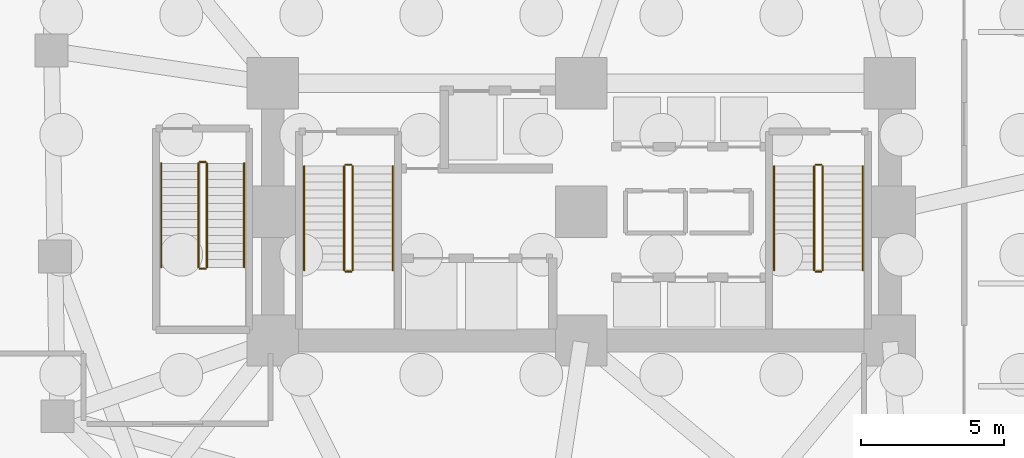
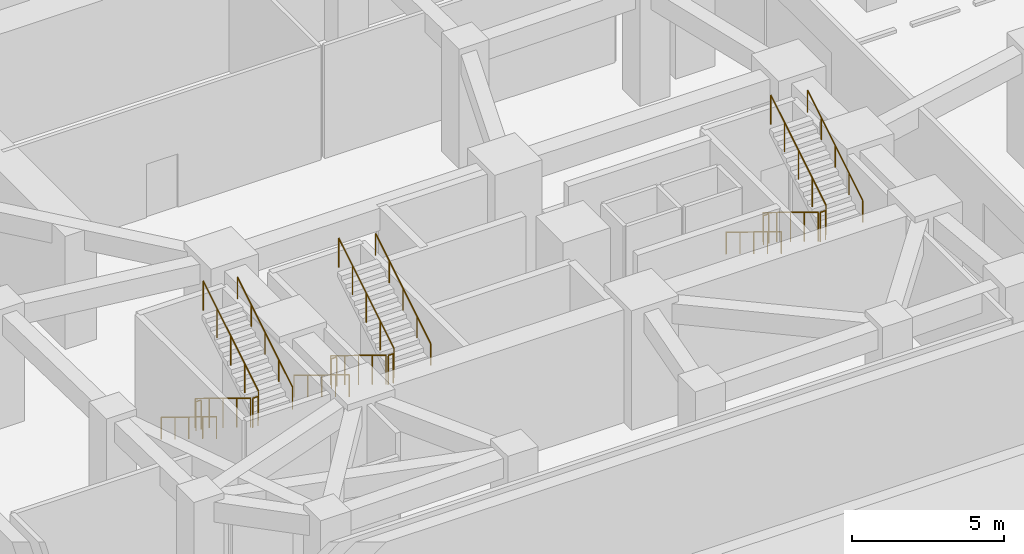
# One storey, part 8 of 11: 18 railings.
"""IFC4 building model written with IfcOpenShell, lengths in metres."""

from ifc_helpers import new_model, si_unit, direction, frame, origin, origin_2d, place, context, subcontext, project, spatial, circle, extrude, material, type_object, element, save


model = new_model("IFC4")

# Units and contexts
model_context = context("Model", 3, precision=1e-05, world=origin(), true_north=direction((0.0, 1.0)))
body_context = subcontext(model_context, "Body", "Model", "MODEL_VIEW")
ifc_project = project(units=[si_unit("LENGTHUNIT", "METRE"), si_unit("AREAUNIT", "SQUARE_METRE"), si_unit("VOLUMEUNIT", "CUBIC_METRE"), si_unit("PLANEANGLEUNIT", "RADIAN"), si_unit("MASSUNIT", "GRAM", prefix="KILO")], contexts=[model_context])

# Site, building, storey
site_placement = place(None, origin())
site = spatial("IfcSite", under=ifc_project, at=site_placement, CompositionType="ELEMENT")
building_placement = place(site_placement, origin())
building = spatial("IfcBuilding", under=site, at=building_placement, Name="Gaonmaruhae Medical Tower", CompositionType="ELEMENT")
storey_placement = place(building_placement, frame((0.0, 0.0, -9.60009765625)))
storey = spatial("IfcBuildingStorey", under=building, at=storey_placement, Name="B02", CompositionType="ELEMENT", Elevation=-9.60009765625)

# Railings
ifc_material_1 = material(Name="Stainless steel 304 handrail", Category="steel")
railing_type_1 = type_object("IfcRailingType", Name="HR-092 Continuous Stainless Steel Stair Handrail", PredefinedType="HANDRAIL", material=ifc_material_1)
railing_1_placement = place(storey_placement, frame((15.10009765625, 13.89990234375, 0.171630859375)))
element("IfcRailing", 1, at=railing_1_placement, inside=storey, type_object=railing_type_1, Name="B02 ST-01 stair handrail 1", PredefinedType="HANDRAIL", context=body_context, shape_type="SweptSolid", body=[
    extrude(circle(Radius=0.02392578125, at=origin_2d()), frame((0.0, 0.0, 0.8759765625), z_axis=(0.0, -0.852850264322, 0.5221555579), x_axis=(1.0, 0.0, 0.0)), (0.0, 0.0, 1.0), 4.267822265625),
    extrude(circle(Radius=0.02099609375, at=origin_2d()), origin(), (0.0, 0.0, 1.0), 0.851806640625),
    extrude(circle(Radius=0.02099609375, at=origin_2d()), frame((0.0, -0.909912109375, 0.55712890625)), (0.0, 0.0, 1.0), 0.851806640625),
    extrude(circle(Radius=0.02099609375, at=origin_2d()), frame((0.0, -1.81982421875, 1.1142578125)), (0.0, 0.0, 1.0), 0.851806640625),
    extrude(circle(Radius=0.02099609375, at=origin_2d()), frame((0.0, -2.72998046875, 1.67138671875)), (0.0, 0.0, 1.0), 0.851806640625),
    extrude(circle(Radius=0.02099609375, at=origin_2d()), frame((0.0, -3.639892578125, 2.228515625)), (0.0, 0.0, 1.0), 0.851806640625),
])
railing_2_placement = place(storey_placement, frame((18.199951171875, 10.260009765625, 2.571533203125)))
element("IfcRailing", 2, at=railing_2_placement, inside=storey, type_object=railing_type_1, Name="B02 ST-01 stair handrail 2", PredefinedType="HANDRAIL", context=body_context, shape_type="SweptSolid", body=[
    extrude(circle(Radius=0.02392578125, at=origin_2d()), frame((0.0, 0.0, 0.8759765625), z_axis=(0.0, 0.852850264322, 0.5221555579), x_axis=(-1.0, 0.0, 0.0)), (0.0, 0.0, 1.0), 4.267822265625),
    extrude(circle(Radius=0.02099609375, at=origin_2d()), origin(), (0.0, 0.0, 1.0), 0.851806640625),
    extrude(circle(Radius=0.02099609375, at=origin_2d()), frame((0.0, 0.909912109375, 0.55712890625)), (0.0, 0.0, 1.0), 0.851806640625),
    extrude(circle(Radius=0.02099609375, at=origin_2d()), frame((0.0, 1.81982421875, 1.1142578125)), (0.0, 0.0, 1.0), 0.851806640625),
    extrude(circle(Radius=0.02099609375, at=origin_2d()), frame((0.0, 2.72998046875, 1.67138671875)), (0.0, 0.0, 1.0), 0.851806640625),
    extrude(circle(Radius=0.02099609375, at=origin_2d()), frame((0.0, 3.639892578125, 2.228515625)), (0.0, 0.0, 1.0), 0.851806640625),
])
railing_3_placement = place(storey_placement, frame((31.550048828125, 13.89990234375, 0.171630859375)))
element("IfcRailing", 3, at=railing_3_placement, inside=storey, type_object=railing_type_1, Name="B02 ST-02 stair handrail 1", PredefinedType="HANDRAIL", context=body_context, shape_type="SweptSolid", body=[
    extrude(circle(Radius=0.02392578125, at=origin_2d()), frame((0.0, 0.0, 0.8759765625), z_axis=(0.0, -0.852850264322, 0.5221555579), x_axis=(1.0, 0.0, 0.0)), (0.0, 0.0, 1.0), 4.267822265625),
    extrude(circle(Radius=0.02099609375, at=origin_2d()), origin(), (0.0, 0.0, 1.0), 0.851806640625),
    extrude(circle(Radius=0.02099609375, at=origin_2d()), frame((0.0, -0.909912109375, 0.55712890625)), (0.0, 0.0, 1.0), 0.851806640625),
    extrude(circle(Radius=0.02099609375, at=origin_2d()), frame((0.0, -1.81982421875, 1.1142578125)), (0.0, 0.0, 1.0), 0.851806640625),
    extrude(circle(Radius=0.02099609375, at=origin_2d()), frame((0.0, -2.72998046875, 1.67138671875)), (0.0, 0.0, 1.0), 0.851806640625),
    extrude(circle(Radius=0.02099609375, at=origin_2d()), frame((0.0, -3.639892578125, 2.228515625)), (0.0, 0.0, 1.0), 0.851806640625),
])
railing_4_placement = place(storey_placement, frame((34.64990234375, 10.260009765625, 2.571533203125)))
element("IfcRailing", 4, at=railing_4_placement, inside=storey, type_object=railing_type_1, Name="B02 ST-02 stair handrail 2", PredefinedType="HANDRAIL", context=body_context, shape_type="SweptSolid", body=[
    extrude(circle(Radius=0.02392578125, at=origin_2d()), frame((0.0, 0.0, 0.8759765625), z_axis=(0.0, 0.852850264322, 0.5221555579), x_axis=(-1.0, 0.0, 0.0)), (0.0, 0.0, 1.0), 4.267822265625),
    extrude(circle(Radius=0.02099609375, at=origin_2d()), origin(), (0.0, 0.0, 1.0), 0.851806640625),
    extrude(circle(Radius=0.02099609375, at=origin_2d()), frame((0.0, 0.909912109375, 0.55712890625)), (0.0, 0.0, 1.0), 0.851806640625),
    extrude(circle(Radius=0.02099609375, at=origin_2d()), frame((0.0, 1.81982421875, 1.1142578125)), (0.0, 0.0, 1.0), 0.851806640625),
    extrude(circle(Radius=0.02099609375, at=origin_2d()), frame((0.0, 2.72998046875, 1.67138671875)), (0.0, 0.0, 1.0), 0.851806640625),
    extrude(circle(Radius=0.02099609375, at=origin_2d()), frame((0.0, 3.639892578125, 2.228515625)), (0.0, 0.0, 1.0), 0.851806640625),
])
railing_5_placement = place(storey_placement, frame((10.10009765625, 14.0, 0.171630859375)))
element("IfcRailing", 5, at=railing_5_placement, inside=storey, type_object=railing_type_1, Name="B02 ST-03 stair handrail 1", PredefinedType="HANDRAIL", context=body_context, shape_type="SweptSolid", body=[
    extrude(circle(Radius=0.02392578125, at=origin_2d()), frame((0.0, 0.0, 0.8759765625), z_axis=(0.0, -0.852850264322, 0.5221555579), x_axis=(1.0, 0.0, 0.0)), (0.0, 0.0, 1.0), 4.267822265625),
    extrude(circle(Radius=0.02099609375, at=origin_2d()), origin(), (0.0, 0.0, 1.0), 0.851806640625),
    extrude(circle(Radius=0.02099609375, at=origin_2d()), frame((0.0, -0.909912109375, 0.55712890625)), (0.0, 0.0, 1.0), 0.851806640625),
    extrude(circle(Radius=0.02099609375, at=origin_2d()), frame((0.0, -1.81982421875, 1.1142578125)), (0.0, 0.0, 1.0), 0.851806640625),
    extrude(circle(Radius=0.02099609375, at=origin_2d()), frame((0.0, -2.72998046875, 1.67138671875)), (0.0, 0.0, 1.0), 0.851806640625),
    extrude(circle(Radius=0.02099609375, at=origin_2d()), frame((0.0, -3.639892578125, 2.228515625)), (0.0, 0.0, 1.0), 0.851806640625),
])
railing_6_placement = place(storey_placement, frame((13.0, 10.360107421875, 2.571533203125)))
element("IfcRailing", 6, at=railing_6_placement, inside=storey, type_object=railing_type_1, Name="B02 ST-03 stair handrail 2", PredefinedType="HANDRAIL", context=body_context, shape_type="SweptSolid", body=[
    extrude(circle(Radius=0.02392578125, at=origin_2d()), frame((0.0, 0.0, 0.8759765625), z_axis=(0.0, 0.852850264322, 0.5221555579), x_axis=(-1.0, 0.0, 0.0)), (0.0, 0.0, 1.0), 4.267822265625),
    extrude(circle(Radius=0.02099609375, at=origin_2d()), origin(), (0.0, 0.0, 1.0), 0.851806640625),
    extrude(circle(Radius=0.02099609375, at=origin_2d()), frame((0.0, 0.909912109375, 0.55712890625)), (0.0, 0.0, 1.0), 0.851806640625),
    extrude(circle(Radius=0.02099609375, at=origin_2d()), frame((0.0, 1.81982421875, 1.1142578125)), (0.0, 0.0, 1.0), 0.851806640625),
    extrude(circle(Radius=0.02099609375, at=origin_2d()), frame((0.0, 2.72998046875, 1.67138671875)), (0.0, 0.0, 1.0), 0.851806640625),
    extrude(circle(Radius=0.02099609375, at=origin_2d()), frame((0.0, 3.639892578125, 2.228515625)), (0.0, 0.0, 1.0), 0.851806640625),
])
ifc_material_2 = material(Name="Stainless steel 304 balustrade", Category="steel")
railing_type_2 = type_object("IfcRailingType", Name="SG-112 Stair Well & Ramp Void Safety Balustrade", PredefinedType="BALUSTRADE", material=ifc_material_2)
railing_7_placement = place(storey_placement, frame((16.5, 13.89990234375, 0.171630859375)))
element("IfcRailing", 7, at=railing_7_placement, inside=storey, type_object=railing_type_2, Name="B02 ST-01 stair guard 1", PredefinedType="BALUSTRADE", context=body_context, shape_type="SweptSolid", body=[
    extrude(circle(Radius=0.02392578125, at=origin_2d()), frame((0.0, 0.0, 1.17578125), z_axis=(0.0, -0.852850264322, 0.5221555579), x_axis=(1.0, 0.0, 0.0)), (0.0, 0.0, 1.0), 4.267822265625),
    extrude(circle(Radius=0.02099609375, at=origin_2d()), origin(), (0.0, 0.0, 1.0), 1.15185546875),
    extrude(circle(Radius=0.02099609375, at=origin_2d()), frame((0.0, -0.909912109375, 0.55712890625)), (0.0, 0.0, 1.0), 1.15185546875),
    extrude(circle(Radius=0.02099609375, at=origin_2d()), frame((0.0, -1.81982421875, 1.1142578125)), (0.0, 0.0, 1.0), 1.15185546875),
    extrude(circle(Radius=0.02099609375, at=origin_2d()), frame((0.0, -2.72998046875, 1.67138671875)), (0.0, 0.0, 1.0), 1.15185546875),
    extrude(circle(Radius=0.02099609375, at=origin_2d()), frame((0.0, -3.639892578125, 2.228515625)), (0.0, 0.0, 1.0), 1.15185546875),
])
railing_8_placement = place(storey_placement, frame((16.550048828125, 10.2099609375, 2.400146484375)))
element("IfcRailing", 8, at=railing_8_placement, inside=storey, type_object=railing_type_2, Name="B02 ST-01 stair guard 2", PredefinedType="BALUSTRADE", context=body_context, shape_type="SweptSolid", body=[
    extrude(circle(Radius=0.02392578125, at=origin_2d()), frame((0.0, 0.0, 1.17578125), z_axis=(1.0, 0.0, 0.0), x_axis=(0.0, 1.0, 0.0)), (0.0, 0.0, 1.0), 0.199951171875),
    extrude(circle(Radius=0.02099609375, at=origin_2d()), origin(), (0.0, 0.0, 1.0), 1.15185546875),
    extrude(circle(Radius=0.02099609375, at=origin_2d()), frame((0.199951171875, 0.0, 0.0)), (0.0, 0.0, 1.0), 1.15185546875),
])
railing_9_placement = place(storey_placement, frame((16.800048828125, 10.260009765625, 2.571533203125)))
element("IfcRailing", 9, at=railing_9_placement, inside=storey, type_object=railing_type_2, Name="B02 ST-01 stair guard 3", PredefinedType="BALUSTRADE", context=body_context, shape_type="SweptSolid", body=[
    extrude(circle(Radius=0.02392578125, at=origin_2d()), frame((0.0, 0.0, 1.17578125), z_axis=(0.0, 0.852850264322, 0.5221555579), x_axis=(-1.0, 0.0, 0.0)), (0.0, 0.0, 1.0), 4.267822265625),
    extrude(circle(Radius=0.02099609375, at=origin_2d()), origin(), (0.0, 0.0, 1.0), 1.15185546875),
    extrude(circle(Radius=0.02099609375, at=origin_2d()), frame((0.0, 0.909912109375, 0.55712890625)), (0.0, 0.0, 1.0), 1.15185546875),
    extrude(circle(Radius=0.02099609375, at=origin_2d()), frame((0.0, 1.81982421875, 1.1142578125)), (0.0, 0.0, 1.0), 1.15185546875),
    extrude(circle(Radius=0.02099609375, at=origin_2d()), frame((0.0, 2.72998046875, 1.67138671875)), (0.0, 0.0, 1.0), 1.15185546875),
    extrude(circle(Radius=0.02099609375, at=origin_2d()), frame((0.0, 3.639892578125, 2.228515625)), (0.0, 0.0, 1.0), 1.15185546875),
])
railing_10_placement = place(storey_placement, frame((16.550048828125, 13.949951171875, 0.0)))
element("IfcRailing", 10, at=railing_10_placement, inside=storey, type_object=railing_type_2, Name="B02 ST-01 stair guard 4", PredefinedType="BALUSTRADE", context=body_context, shape_type="SweptSolid", body=[
    extrude(circle(Radius=0.02392578125, at=origin_2d()), frame((0.0, 0.0, 1.17578125), z_axis=(1.0, 0.0, 0.0), x_axis=(0.0, 1.0, 0.0)), (0.0, 0.0, 1.0), 0.199951171875),
    extrude(circle(Radius=0.02099609375, at=origin_2d()), origin(), (0.0, 0.0, 1.0), 1.15185546875),
    extrude(circle(Radius=0.02099609375, at=origin_2d()), frame((0.199951171875, 0.0, 0.0)), (0.0, 0.0, 1.0), 1.15185546875),
])
railing_11_placement = place(storey_placement, frame((32.949951171875, 13.89990234375, 0.171630859375)))
element("IfcRailing", 11, at=railing_11_placement, inside=storey, type_object=railing_type_2, Name="B02 ST-02 stair guard 1", PredefinedType="BALUSTRADE", context=body_context, shape_type="SweptSolid", body=[
    extrude(circle(Radius=0.02392578125, at=origin_2d()), frame((0.0, 0.0, 1.17578125), z_axis=(0.0, -0.852850264322, 0.5221555579), x_axis=(1.0, 0.0, 0.0)), (0.0, 0.0, 1.0), 4.267822265625),
    extrude(circle(Radius=0.02099609375, at=origin_2d()), origin(), (0.0, 0.0, 1.0), 1.15185546875),
    extrude(circle(Radius=0.02099609375, at=origin_2d()), frame((0.0, -0.909912109375, 0.55712890625)), (0.0, 0.0, 1.0), 1.15185546875),
    extrude(circle(Radius=0.02099609375, at=origin_2d()), frame((0.0, -1.81982421875, 1.1142578125)), (0.0, 0.0, 1.0), 1.15185546875),
    extrude(circle(Radius=0.02099609375, at=origin_2d()), frame((0.0, -2.72998046875, 1.67138671875)), (0.0, 0.0, 1.0), 1.15185546875),
    extrude(circle(Radius=0.02099609375, at=origin_2d()), frame((0.0, -3.639892578125, 2.228515625)), (0.0, 0.0, 1.0), 1.15185546875),
])
railing_12_placement = place(storey_placement, frame((33.0, 10.2099609375, 2.400146484375)))
element("IfcRailing", 12, at=railing_12_placement, inside=storey, type_object=railing_type_2, Name="B02 ST-02 stair guard 2", PredefinedType="BALUSTRADE", context=body_context, shape_type="SweptSolid", body=[
    extrude(circle(Radius=0.02392578125, at=origin_2d()), frame((0.0, 0.0, 1.17578125), z_axis=(1.0, 0.0, 0.0), x_axis=(0.0, 1.0, 0.0)), (0.0, 0.0, 1.0), 0.199951171875),
    extrude(circle(Radius=0.02099609375, at=origin_2d()), origin(), (0.0, 0.0, 1.0), 1.15185546875),
    extrude(circle(Radius=0.02099609375, at=origin_2d()), frame((0.199951171875, 0.0, 0.0)), (0.0, 0.0, 1.0), 1.15185546875),
])
railing_13_placement = place(storey_placement, frame((33.25, 10.260009765625, 2.571533203125)))
element("IfcRailing", 13, at=railing_13_placement, inside=storey, type_object=railing_type_2, Name="B02 ST-02 stair guard 3", PredefinedType="BALUSTRADE", context=body_context, shape_type="SweptSolid", body=[
    extrude(circle(Radius=0.02392578125, at=origin_2d()), frame((0.0, 0.0, 1.17578125), z_axis=(0.0, 0.852850264322, 0.5221555579), x_axis=(-1.0, 0.0, 0.0)), (0.0, 0.0, 1.0), 4.267822265625),
    extrude(circle(Radius=0.02099609375, at=origin_2d()), origin(), (0.0, 0.0, 1.0), 1.15185546875),
    extrude(circle(Radius=0.02099609375, at=origin_2d()), frame((0.0, 0.909912109375, 0.55712890625)), (0.0, 0.0, 1.0), 1.15185546875),
    extrude(circle(Radius=0.02099609375, at=origin_2d()), frame((0.0, 1.81982421875, 1.1142578125)), (0.0, 0.0, 1.0), 1.15185546875),
    extrude(circle(Radius=0.02099609375, at=origin_2d()), frame((0.0, 2.72998046875, 1.67138671875)), (0.0, 0.0, 1.0), 1.15185546875),
    extrude(circle(Radius=0.02099609375, at=origin_2d()), frame((0.0, 3.639892578125, 2.228515625)), (0.0, 0.0, 1.0), 1.15185546875),
])
railing_14_placement = place(storey_placement, frame((33.0, 13.949951171875, 0.0)))
element("IfcRailing", 14, at=railing_14_placement, inside=storey, type_object=railing_type_2, Name="B02 ST-02 stair guard 4", PredefinedType="BALUSTRADE", context=body_context, shape_type="SweptSolid", body=[
    extrude(circle(Radius=0.02392578125, at=origin_2d()), frame((0.0, 0.0, 1.17578125), z_axis=(1.0, 0.0, 0.0), x_axis=(0.0, 1.0, 0.0)), (0.0, 0.0, 1.0), 0.199951171875),
    extrude(circle(Radius=0.02099609375, at=origin_2d()), origin(), (0.0, 0.0, 1.0), 1.15185546875),
    extrude(circle(Radius=0.02099609375, at=origin_2d()), frame((0.199951171875, 0.0, 0.0)), (0.0, 0.0, 1.0), 1.15185546875),
])
railing_15_placement = place(storey_placement, frame((11.39990234375, 14.0, 0.171630859375)))
element("IfcRailing", 15, at=railing_15_placement, inside=storey, type_object=railing_type_2, Name="B02 ST-03 stair guard 1", PredefinedType="BALUSTRADE", context=body_context, shape_type="SweptSolid", body=[
    extrude(circle(Radius=0.02392578125, at=origin_2d()), frame((0.0, 0.0, 1.17578125), z_axis=(0.0, -0.852850264322, 0.5221555579), x_axis=(1.0, 0.0, 0.0)), (0.0, 0.0, 1.0), 4.267822265625),
    extrude(circle(Radius=0.02099609375, at=origin_2d()), origin(), (0.0, 0.0, 1.0), 1.15185546875),
    extrude(circle(Radius=0.02099609375, at=origin_2d()), frame((0.0, -0.909912109375, 0.55712890625)), (0.0, 0.0, 1.0), 1.15185546875),
    extrude(circle(Radius=0.02099609375, at=origin_2d()), frame((0.0, -1.81982421875, 1.1142578125)), (0.0, 0.0, 1.0), 1.15185546875),
    extrude(circle(Radius=0.02099609375, at=origin_2d()), frame((0.0, -2.72998046875, 1.67138671875)), (0.0, 0.0, 1.0), 1.15185546875),
    extrude(circle(Radius=0.02099609375, at=origin_2d()), frame((0.0, -3.639892578125, 2.228515625)), (0.0, 0.0, 1.0), 1.15185546875),
])
railing_16_placement = place(storey_placement, frame((11.449951171875, 10.31005859375, 2.400146484375)))
element("IfcRailing", 16, at=railing_16_placement, inside=storey, type_object=railing_type_2, Name="B02 ST-03 stair guard 2", PredefinedType="BALUSTRADE", context=body_context, shape_type="SweptSolid", body=[
    extrude(circle(Radius=0.02392578125, at=origin_2d()), frame((0.0, 0.0, 1.17578125), z_axis=(1.0, 0.0, 0.0), x_axis=(0.0, 1.0, 0.0)), (0.0, 0.0, 1.0), 0.199951171875),
    extrude(circle(Radius=0.02099609375, at=origin_2d()), origin(), (0.0, 0.0, 1.0), 1.15185546875),
    extrude(circle(Radius=0.02099609375, at=origin_2d()), frame((0.199951171875, 0.0, 0.0)), (0.0, 0.0, 1.0), 1.15185546875),
])
railing_17_placement = place(storey_placement, frame((11.699951171875, 10.360107421875, 2.571533203125)))
element("IfcRailing", 17, at=railing_17_placement, inside=storey, type_object=railing_type_2, Name="B02 ST-03 stair guard 3", PredefinedType="BALUSTRADE", context=body_context, shape_type="SweptSolid", body=[
    extrude(circle(Radius=0.02392578125, at=origin_2d()), frame((0.0, 0.0, 1.17578125), z_axis=(0.0, 0.852850264322, 0.5221555579), x_axis=(-1.0, 0.0, 0.0)), (0.0, 0.0, 1.0), 4.267822265625),
    extrude(circle(Radius=0.02099609375, at=origin_2d()), origin(), (0.0, 0.0, 1.0), 1.15185546875),
    extrude(circle(Radius=0.02099609375, at=origin_2d()), frame((0.0, 0.909912109375, 0.55712890625)), (0.0, 0.0, 1.0), 1.15185546875),
    extrude(circle(Radius=0.02099609375, at=origin_2d()), frame((0.0, 1.81982421875, 1.1142578125)), (0.0, 0.0, 1.0), 1.15185546875),
    extrude(circle(Radius=0.02099609375, at=origin_2d()), frame((0.0, 2.72998046875, 1.67138671875)), (0.0, 0.0, 1.0), 1.15185546875),
    extrude(circle(Radius=0.02099609375, at=origin_2d()), frame((0.0, 3.639892578125, 2.228515625)), (0.0, 0.0, 1.0), 1.15185546875),
])
railing_18_placement = place(storey_placement, frame((11.449951171875, 14.050048828125, 0.0)))
element("IfcRailing", 18, at=railing_18_placement, inside=storey, type_object=railing_type_2, Name="B02 ST-03 stair guard 4", PredefinedType="BALUSTRADE", context=body_context, shape_type="SweptSolid", body=[
    extrude(circle(Radius=0.02392578125, at=origin_2d()), frame((0.0, 0.0, 1.17578125), z_axis=(1.0, 0.0, 0.0), x_axis=(0.0, 1.0, 0.0)), (0.0, 0.0, 1.0), 0.199951171875),
    extrude(circle(Radius=0.02099609375, at=origin_2d()), origin(), (0.0, 0.0, 1.0), 1.15185546875),
    extrude(circle(Radius=0.02099609375, at=origin_2d()), frame((0.199951171875, 0.0, 0.0)), (0.0, 0.0, 1.0), 1.15185546875),
])

save(model, "model.ifc")
